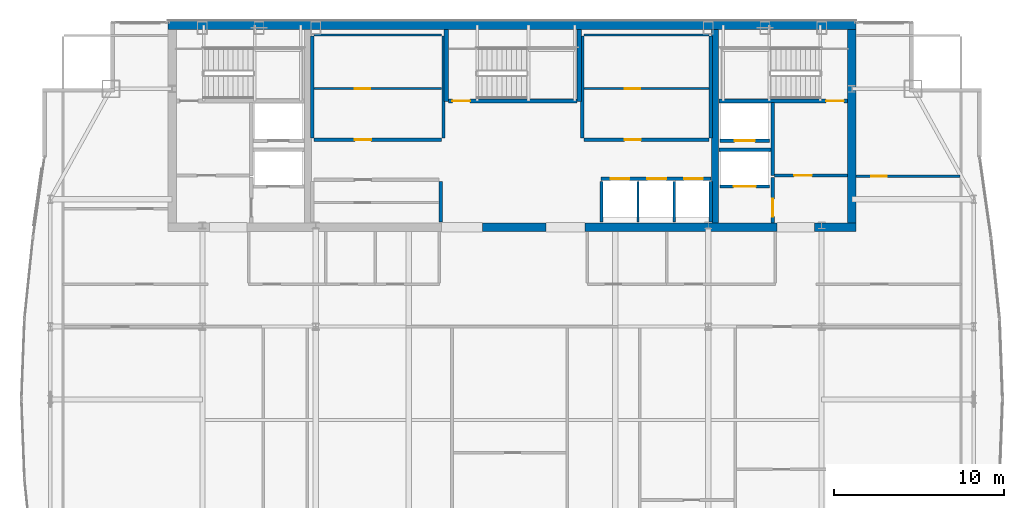
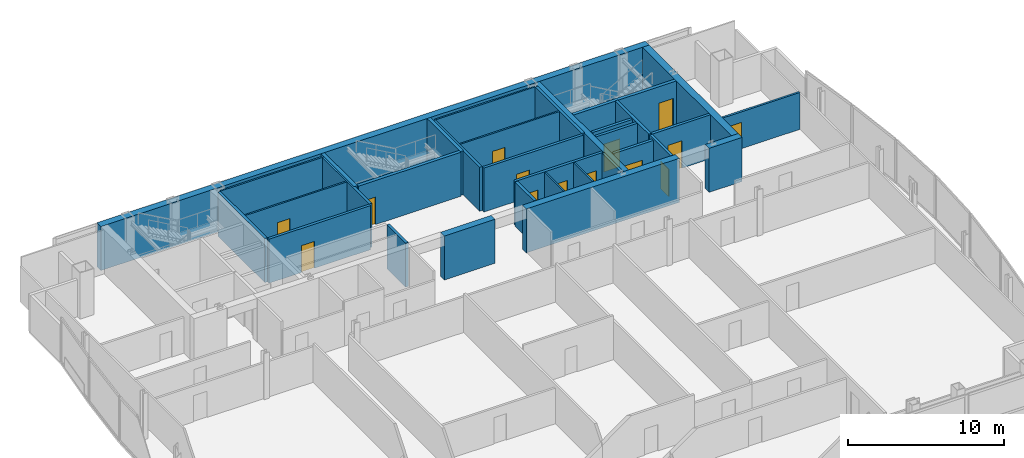
# One storey, part 27 of 30: 33 walls, 14 doors, 14 openings.
"""IFC4 building model written with IfcOpenShell, lengths in metres."""

from ifc_helpers import new_model, si_unit, direction, frame, frame_2d, origin, place, context, subcontext, project, spatial, rectangle, extrude, material, layer, layer_set, type_object, element, fill, save


model = new_model("IFC4")

# Units and contexts
model_context = context("Model", 3, precision=1e-05, world=origin(), true_north=direction((0.0, 1.0)))
body_context = subcontext(model_context, "Body", "Model", "MODEL_VIEW")
ifc_project = project(units=[si_unit("LENGTHUNIT", "METRE"), si_unit("AREAUNIT", "SQUARE_METRE"), si_unit("VOLUMEUNIT", "CUBIC_METRE"), si_unit("PLANEANGLEUNIT", "RADIAN"), si_unit("MASSUNIT", "GRAM", prefix="KILO")], contexts=[model_context])

# Site, building, storey
site_placement = place(None, origin())
site = spatial("IfcSite", under=ifc_project, at=site_placement, CompositionType="ELEMENT")
building_placement = place(site_placement, origin())
building = spatial("IfcBuilding", under=site, at=building_placement, Name="Khoronbel Lancet Exchange", CompositionType="ELEMENT")
storey_placement = place(building_placement, frame((0.0, 0.0, 280.60009765625)))
storey = spatial("IfcBuildingStorey", under=building, at=storey_placement, Name="L72", CompositionType="ELEMENT", Elevation=280.60009765625)

# Walls
ifc_material_1 = material(Name="Concrete C60/75", Category="concrete")
ifc_layer_1 = layer(ifc_material_1, 0.5, Name="Concrete C60/75")
ifc_layer_set_1 = layer_set([ifc_layer_1], Name="Concrete C60/75")
wall_type_1 = type_object("IfcWallType", Name="WL-CW4", PredefinedType="SHEAR", material=ifc_layer_set_1)
wall_1_placement = place(storey_placement, frame((16.199951171875, 53.449951171875, 0.0), z_axis=(0.0, 0.0, 1.0), x_axis=(1.0, 0.0, 0.0)))
element("IfcWall", 1, at=wall_1_placement, inside=storey, type_object=wall_type_1, Name="Level L72 rear core north shear wall", PredefinedType="SHEAR", context=body_context, shape_type="SweptSolid", body=[
    extrude(rectangle(XDim=40.5, YDim=0.5, at=frame_2d((20.25, 0.0))), origin(), (0.0, 0.0, 1.0), 3.43994140625),
])
wall_2_placement = place(storey_placement, frame((56.449951171875, 53.199951171875, 0.0), z_axis=(0.0, 0.0, 1.0), x_axis=(0.0, -1.0, 0.0)))
element("IfcWall", 2, at=wall_2_placement, inside=storey, type_object=wall_type_1, Name="Level L72 rear core east shear wall", PredefinedType="SHEAR", context=body_context, shape_type="SweptSolid", body=[
    extrude(rectangle(XDim=11.39990234375, YDim=0.5, at=frame_2d((5.699951171875, 0.0))), origin(), (0.0, 0.0, 1.0), 3.43994140625),
])
wall_3_placement = place(storey_placement, frame((38.449951171875, 41.550048828125, 0.0), z_axis=(0.0, 0.0, 1.0), x_axis=(-1.0, 0.0, 0.0)))
element("IfcWall", 3, at=wall_3_placement, inside=storey, type_object=wall_type_1, Name="Level L72 rear core south shear wall pier P3", PredefinedType="SHEAR", context=body_context, shape_type="SweptSolid", body=[
    extrude(rectangle(XDim=3.75, YDim=0.5, at=frame_2d((1.875, 0.0))), origin(), (0.0, 0.0, 1.0), 3.43994140625),
])
wall_4_placement = place(storey_placement, frame((52.050048828125, 41.550048828125, 0.0), z_axis=(0.0, 0.0, 1.0), x_axis=(-1.0, 0.0, 0.0)))
element("IfcWall", 4, at=wall_4_placement, inside=storey, type_object=wall_type_1, Name="Level L72 rear core south shear wall pier P4", PredefinedType="SHEAR", context=body_context, shape_type="SweptSolid", body=[
    extrude(rectangle(XDim=11.300048828125, YDim=0.5, at=frame_2d((5.64990234375, 0.0))), origin(), (0.0, 0.0, 1.0), 3.43994140625),
])
wall_5_placement = place(storey_placement, frame((56.699951171875, 41.550048828125, 0.0), z_axis=(0.0, 0.0, 1.0), x_axis=(-1.0, 0.0, 0.0)))
element("IfcWall", 5, at=wall_5_placement, inside=storey, type_object=wall_type_1, Name="Level L72 rear core south shear wall pier P5", PredefinedType="SHEAR", context=body_context, shape_type="SweptSolid", body=[
    extrude(rectangle(XDim=2.449951171875, YDim=0.5, at=frame_2d((1.22509765625, 0.0))), origin(), (0.0, 0.0, 1.0), 3.43994140625),
])

# Wall, opening, door
ifc_material_2 = material(Name="Acoustic Metal-Stud & Mineral-Wool Gypsum Partition 120 mm", Category="gypsum")
ifc_layer_2 = layer(ifc_material_2, 0.1201171875, Name="Acoustic Metal-Stud & Mineral-Wool Gypsum Partition 120 mm")
ifc_layer_set_2 = layer_set([ifc_layer_2], Name="Acoustic Metal-Stud & Mineral-Wool Gypsum Partition 120 mm")
wall_type_2 = type_object("IfcWallType", Name="WL-PRT120", PredefinedType="PARTITIONING", material=ifc_layer_set_2)
wall_6_placement = place(storey_placement, frame((56.699951171875, 44.56005859375, 0.0), z_axis=(0.0, 0.0, 1.0), x_axis=(1.0, 0.0, 0.0)))
wall_6 = element("IfcWall", 6, at=wall_6_placement, inside=storey, type_object=wall_type_2, Name="Level L72 interior partition PW-NE-H", PredefinedType="PARTITIONING", context=body_context, shape_type="SweptSolid", body=[
    extrude(rectangle(XDim=6.10498046875, YDim=0.14990234375, at=frame_2d((3.052490234375, 0.0))), origin(), (0.0, 0.0, 1.0), 2.8798828125),
])
opening_1_placement = place(wall_6_placement, frame((0.89990234375, 0.0, 0.0)))
opening_1 = element("IfcOpeningElement", 7, at=opening_1_placement, cuts=wall_6, Name="Opening D5", PredefinedType="OPENING", context=body_context, shape_type="SweptSolid", body=[
    extrude(rectangle(XDim=0.89990234375, YDim=2.050048828125, at=frame_2d((0.449951171875, 1.02490234375))), frame((0.0, 0.0849609375, 0.0), z_axis=(0.0, -1.0, 0.0), x_axis=(1.0, 0.0, 0.0)), (0.0, 0.0, 1.0), 0.169921875),
])
ifc_material_3 = material(Name="Acoustic Timber Pantry & Support Door", Category="wood")
door_type_1 = type_object("IfcDoorType", Name="DR-D5", OperationType="NOTDEFINED", PredefinedType="DOOR", material=ifc_material_3)
door_1_placement = place(opening_1_placement, origin())
door_1 = element("IfcDoor", 8, at=door_1_placement, inside=storey, type_object=door_type_1, Name="NE north room door L72-1", OperationType="SINGLE_SWING_LEFT", OverallHeight=2.050048828125, OverallWidth=0.89990234375, PredefinedType="DOOR", context=body_context, shape_type="SweptSolid", body=[
    extrude(rectangle(XDim=0.89990234375, YDim=2.050048828125, at=frame_2d((0.449951171875, 1.02490234375))), frame((0.0, 0.02490234375, 0.0), z_axis=(0.0, -1.0, 0.0), x_axis=(1.0, 0.0, 0.0)), (0.0, 0.0, 1.0), 0.050048828125),
])
fill(opening_1, door_1)

# Wall
ifc_material_4 = material(Name="Fire-Rated Metal-Stud & Mineral-Wool Gypsum Partition 120 mm", Category="gypsum")
ifc_layer_3 = layer(ifc_material_4, 0.1201171875, Name="Fire-Rated Metal-Stud & Mineral-Wool Gypsum Partition 120 mm")
ifc_layer_set_3 = layer_set([ifc_layer_3], Name="Fire-Rated Metal-Stud & Mineral-Wool Gypsum Partition 120 mm")
wall_type_3 = type_object("IfcWallType", Name="WL-PRT120F", PredefinedType="PARTITIONING", material=ifc_layer_set_3)
wall_7_placement = place(storey_placement, frame((24.804931640625, 52.860107421875, 0.0), z_axis=(0.0, 0.0, 1.0), x_axis=(1.0, 0.0, 0.0)))
element("IfcWall", 9, at=wall_7_placement, inside=storey, type_object=wall_type_3, Name="Level L72 interior partition CW-PL-RN", PredefinedType="PARTITIONING", context=body_context, shape_type="SweptSolid", body=[
    extrude(rectangle(XDim=7.510009765625, YDim=0.1201171875, at=frame_2d((3.7548828125, 0.0))), origin(), (0.0, 0.0, 1.0), 3.43994140625),
])

# Wall, opening, door
wall_8_placement = place(storey_placement, frame((24.804931640625, 49.708740234375, 0.0), z_axis=(0.0, 0.0, 1.0), x_axis=(1.0, 0.0, 0.0)))
wall_8 = element("IfcWall", 10, at=wall_8_placement, inside=storey, type_object=wall_type_3, Name="Level L72 interior partition CW-PL-RH", PredefinedType="PARTITIONING", context=body_context, shape_type="SweptSolid", body=[
    extrude(rectangle(XDim=7.510009765625, YDim=0.1201171875, at=frame_2d((3.7548828125, 0.0))), origin(), (0.0, 0.0, 1.0), 3.43994140625),
])
opening_2_placement = place(wall_8_placement, frame((2.39990234375, 0.0, 0.0)))
opening_2 = element("IfcOpeningElement", 11, at=opening_2_placement, cuts=wall_8, Name="Opening FD4", PredefinedType="OPENING", context=body_context, shape_type="SweptSolid", body=[
    extrude(rectangle(XDim=0.89990234375, YDim=2.050048828125, at=frame_2d((0.449951171875, 1.02490234375))), frame((0.0, 0.070068359375, 0.0), z_axis=(0.0, -1.0, 0.0), x_axis=(1.0, 0.0, 0.0)), (0.0, 0.0, 1.0), 0.14013671875),
])
ifc_material_5 = material(Name="Fire-Rated Steel Core Support Door Assembly", Category="steel")
door_type_2 = type_object("IfcDoorType", Name="DR-FD4", OperationType="NOTDEFINED", PredefinedType="DOOR", material=ifc_material_5)
door_2_placement = place(opening_2_placement, origin())
door_2 = element("IfcDoor", 12, at=door_2_placement, inside=storey, type_object=door_type_2, Name="Core PL inner store door L72-1", OperationType="SINGLE_SWING_LEFT", OverallHeight=2.050048828125, OverallWidth=0.89990234375, PredefinedType="DOOR", context=body_context, shape_type="SweptSolid", body=[
    extrude(rectangle(XDim=0.89990234375, YDim=2.050048828125, at=frame_2d((0.449951171875, 1.02490234375))), frame((0.0, 0.02490234375, 0.0), z_axis=(0.0, -1.0, 0.0), x_axis=(1.0, 0.0, 0.0)), (0.0, 0.0, 1.0), 0.050048828125),
])
fill(opening_2, door_2)

# Wall
wall_9_placement = place(storey_placement, frame((40.68505859375, 52.860107421875, 0.0), z_axis=(0.0, 0.0, 1.0), x_axis=(1.0, 0.0, 0.0)))
element("IfcWall", 13, at=wall_9_placement, inside=storey, type_object=wall_type_3, Name="Level L72 interior partition CW-PH-RN", PredefinedType="PARTITIONING", context=body_context, shape_type="SweptSolid", body=[
    extrude(rectangle(XDim=7.349853515625, YDim=0.1201171875, at=frame_2d((3.6748046875, 0.0))), origin(), (0.0, 0.0, 1.0), 3.43994140625),
])

# Wall, opening, door
wall_10_placement = place(storey_placement, frame((40.68505859375, 49.708740234375, 0.0), z_axis=(0.0, 0.0, 1.0), x_axis=(1.0, 0.0, 0.0)))
wall_10 = element("IfcWall", 14, at=wall_10_placement, inside=storey, type_object=wall_type_3, Name="Level L72 interior partition CW-PH-RH", PredefinedType="PARTITIONING", context=body_context, shape_type="SweptSolid", body=[
    extrude(rectangle(XDim=7.349853515625, YDim=0.1201171875, at=frame_2d((3.6748046875, 0.0))), origin(), (0.0, 0.0, 1.0), 3.43994140625),
])
opening_3_placement = place(wall_10_placement, frame((2.39990234375, 0.0, 0.0)))
opening_3 = element("IfcOpeningElement", 15, at=opening_3_placement, cuts=wall_10, Name="Opening FD4", PredefinedType="OPENING", context=body_context, shape_type="SweptSolid", body=[
    extrude(rectangle(XDim=0.89990234375, YDim=2.050048828125, at=frame_2d((0.449951171875, 1.02490234375))), frame((0.0, 0.070068359375, 0.0), z_axis=(0.0, -1.0, 0.0), x_axis=(1.0, 0.0, 0.0)), (0.0, 0.0, 1.0), 0.14013671875),
])
door_3_placement = place(opening_3_placement, origin())
door_3 = element("IfcDoor", 16, at=door_3_placement, inside=storey, type_object=door_type_2, Name="Core PH inner store door L72-1", OperationType="SINGLE_SWING_LEFT", OverallHeight=2.050048828125, OverallWidth=0.89990234375, PredefinedType="DOOR", context=body_context, shape_type="SweptSolid", body=[
    extrude(rectangle(XDim=0.89990234375, YDim=2.050048828125, at=frame_2d((0.449951171875, 1.02490234375))), frame((0.0, 0.02490234375, 0.0), z_axis=(0.0, -1.0, 0.0), x_axis=(1.0, 0.0, 0.0)), (0.0, 0.0, 1.0), 0.050048828125),
])
fill(opening_3, door_3)

# Walls
for number, where, z_axis, x_axis, name in (
    (17, (43.860107421875, 41.85009765625, 0.0), (0.0, 0.0, 1.0), (0.0, 1.0, 0.0), "Level L72 interior partition CW-PX-D1"),
    (18, (46.0, 41.85009765625, 0.0), (0.0, 0.0, 1.0), (0.0, 1.0, 0.0), "Level L72 interior partition CW-PX-D2"),
):
    element("IfcWall", number, at=place(storey_placement, frame(where, z_axis=z_axis, x_axis=x_axis)), inside=storey, type_object=wall_type_3, Name=name, PredefinedType="PARTITIONING", context=body_context, shape_type="SweptSolid", body=[
        extrude(rectangle(XDim=2.39990234375, YDim=0.1201171875, at=frame_2d((1.199951171875, 0.0))), origin(), (0.0, 0.0, 1.0), 3.43994140625),
    ])

# Wall, openings, doors
ifc_material_6 = material(Name="Autoclaved Aerated Concrete Blockwork 200 mm", Category="masonry")
ifc_layer_4 = layer(ifc_material_6, 0.199951171875, Name="Autoclaved Aerated Concrete Blockwork 200 mm")
ifc_layer_set_4 = layer_set([ifc_layer_4], Name="Autoclaved Aerated Concrete Blockwork 200 mm")
wall_type_4 = type_object("IfcWallType", Name="WL-PRT200", PredefinedType="PARTITIONING", material=ifc_layer_set_4)
wall_11_placement = place(storey_placement, frame((41.679931640625, 44.39990234375, 0.0), z_axis=(0.0, 0.0, 1.0), x_axis=(1.0, 0.0, 0.0)))
wall_11 = element("IfcWall", 19, at=wall_11_placement, inside=storey, type_object=wall_type_4, Name="Level L72 elevator hoistway landing front wall PXE", PredefinedType="PARTITIONING", context=body_context, shape_type="SweptSolid", body=[
    extrude(rectangle(XDim=6.47998046875, YDim=0.199951171875, at=frame_2d((3.239990234375, 0.0))), origin(), (0.0, 0.0, 1.0), 3.43994140625),
])
opening_4_placement = place(wall_11_placement, frame((0.580078125, 0.0, 0.0)))
opening_4 = element("IfcOpeningElement", 20, at=opening_4_placement, cuts=wall_11, Name="Opening LD-PX1", PredefinedType="OPENING", context=body_context, shape_type="SweptSolid", body=[
    extrude(rectangle(XDim=1.10009765625, YDim=2.179931640625, at=frame_2d((0.550048828125, 1.08984375))), frame((0.0, 0.10986328125, 0.0), z_axis=(0.0, -1.0, 0.0), x_axis=(1.0, 0.0, 0.0)), (0.0, 0.0, 1.0), 0.219970703125),
])
opening_5_placement = place(wall_11_placement, frame((2.739990234375, 0.0, 0.0)))
opening_5 = element("IfcOpeningElement", 21, at=opening_5_placement, cuts=wall_11, Name="Opening LD-PX2", PredefinedType="OPENING", context=body_context, shape_type="SweptSolid", body=[
    extrude(rectangle(XDim=1.10009765625, YDim=2.179931640625, at=frame_2d((0.550048828125, 1.08984375))), frame((0.0, 0.10986328125, 0.0), z_axis=(0.0, -1.0, 0.0), x_axis=(1.0, 0.0, 0.0)), (0.0, 0.0, 1.0), 0.219970703125),
])
opening_6_placement = place(wall_11_placement, frame((4.89990234375, 0.0, 0.0)))
opening_6 = element("IfcOpeningElement", 22, at=opening_6_placement, cuts=wall_11, Name="Opening LD-PX3", PredefinedType="OPENING", context=body_context, shape_type="SweptSolid", body=[
    extrude(rectangle(XDim=1.10009765625, YDim=2.179931640625, at=frame_2d((0.550048828125, 1.08984375))), frame((0.0, 0.10986328125, 0.0), z_axis=(0.0, -1.0, 0.0), x_axis=(1.0, 0.0, 0.0)), (0.0, 0.0, 1.0), 0.219970703125),
])
ifc_material_7 = material(Name="Brushed Bronze Bi-Parting Elevator Landing Door", Category="steel")
door_type_3 = type_object("IfcDoorType", Name="DR-LD-PAX", OperationType="NOTDEFINED", PredefinedType="DOOR", material=ifc_material_7)
door_4_placement = place(opening_4_placement, origin())
door_4 = element("IfcDoor", 23, at=door_4_placement, inside=storey, type_object=door_type_3, Name="Elevator landing sliding door LD-PX1 L72", OperationType="SLIDING_TO_LEFT", OverallHeight=2.179931640625, OverallWidth=1.10009765625, PredefinedType="DOOR", context=body_context, shape_type="SweptSolid", body=[
    extrude(rectangle(XDim=1.10009765625, YDim=2.179931640625, at=frame_2d((0.550048828125, 1.08984375))), frame((0.0, 0.02490234375, 0.0), z_axis=(0.0, -1.0, 0.0), x_axis=(1.0, 0.0, 0.0)), (0.0, 0.0, 1.0), 0.050048828125),
])
fill(opening_4, door_4)
door_5_placement = place(opening_5_placement, origin())
door_5 = element("IfcDoor", 24, at=door_5_placement, inside=storey, type_object=door_type_3, Name="Elevator landing sliding door LD-PX2 L72", OperationType="SLIDING_TO_LEFT", OverallHeight=2.179931640625, OverallWidth=1.10009765625, PredefinedType="DOOR", context=body_context, shape_type="SweptSolid", body=[
    extrude(rectangle(XDim=1.10009765625, YDim=2.179931640625, at=frame_2d((0.550048828125, 1.08984375))), frame((0.0, 0.02490234375, 0.0), z_axis=(0.0, -1.0, 0.0), x_axis=(1.0, 0.0, 0.0)), (0.0, 0.0, 1.0), 0.050048828125),
])
fill(opening_5, door_5)
door_6_placement = place(opening_6_placement, origin())
door_6 = element("IfcDoor", 25, at=door_6_placement, inside=storey, type_object=door_type_3, Name="Elevator landing sliding door LD-PX3 L72", OperationType="SLIDING_TO_LEFT", OverallHeight=2.179931640625, OverallWidth=1.10009765625, PredefinedType="DOOR", context=body_context, shape_type="SweptSolid", body=[
    extrude(rectangle(XDim=1.10009765625, YDim=2.179931640625, at=frame_2d((0.550048828125, 1.08984375))), frame((0.0, 0.02490234375, 0.0), z_axis=(0.0, -1.0, 0.0), x_axis=(1.0, 0.0, 0.0)), (0.0, 0.0, 1.0), 0.050048828125),
])
fill(opening_6, door_6)

# Wall, opening, door
wall_12_placement = place(storey_placement, frame((51.610107421875, 43.949951171875, 0.0), z_axis=(0.0, 0.0, 1.0), x_axis=(-1.0, 0.0, 0.0)))
wall_12 = element("IfcWall", 26, at=wall_12_placement, inside=storey, type_object=wall_type_4, Name="Level L72 elevator hoistway landing front wall SVLE", PredefinedType="PARTITIONING", context=body_context, shape_type="SweptSolid", body=[
    extrude(rectangle(XDim=2.920166015625, YDim=0.199951171875, at=frame_2d((1.4599609375, 0.0))), origin(), (0.0, 0.0, 1.0), 3.43994140625),
])
opening_7_placement = place(wall_12_placement, frame((0.81005859375, 0.0, 0.0)))
opening_7 = element("IfcOpeningElement", 27, at=opening_7_placement, cuts=wall_12, Name="Opening LD-SVL2", PredefinedType="OPENING", context=body_context, shape_type="SweptSolid", body=[
    extrude(rectangle(XDim=1.300048828125, YDim=2.179931640625, at=frame_2d((0.64990234375, 1.08984375))), frame((0.0, 0.10986328125, 0.0), z_axis=(0.0, -1.0, 0.0), x_axis=(1.0, 0.0, 0.0)), (0.0, 0.0, 1.0), 0.219970703125),
])
ifc_material_8 = material(Name="Heavy-Duty Bi-Parting Goods Lift Landing Door", Category="steel")
door_type_4 = type_object("IfcDoorType", Name="DR-LD-SVL", OperationType="NOTDEFINED", PredefinedType="DOOR", material=ifc_material_8)
door_7_placement = place(opening_7_placement, origin())
door_7 = element("IfcDoor", 28, at=door_7_placement, inside=storey, type_object=door_type_4, Name="Elevator landing sliding door LD-SVL2 L72", OperationType="SLIDING_TO_LEFT", OverallHeight=2.179931640625, OverallWidth=1.300048828125, PredefinedType="DOOR", context=body_context, shape_type="SweptSolid", body=[
    extrude(rectangle(XDim=1.300048828125, YDim=2.179931640625, at=frame_2d((0.64990234375, 1.08984375))), frame((0.0, 0.02490234375, 0.0), z_axis=(0.0, -1.0, 0.0), x_axis=(1.0, 0.0, 0.0)), (0.0, 0.0, 1.0), 0.050048828125),
])
fill(opening_7, door_7)

wall_13_placement = place(storey_placement, frame((51.610107421875, 46.64990234375, 0.0), z_axis=(0.0, 0.0, 1.0), x_axis=(-1.0, 0.0, 0.0)))
wall_13 = element("IfcWall", 29, at=wall_13_placement, inside=storey, type_object=wall_type_4, Name="Level L72 elevator hoistway landing front wall FFLE", PredefinedType="PARTITIONING", context=body_context, shape_type="SweptSolid", body=[
    extrude(rectangle(XDim=2.920166015625, YDim=0.199951171875, at=frame_2d((1.4599609375, 0.0))), origin(), (0.0, 0.0, 1.0), 3.43994140625),
])
opening_8_placement = place(wall_13_placement, frame((0.860107421875, 0.0, 0.0)))
opening_8 = element("IfcOpeningElement", 30, at=opening_8_placement, cuts=wall_13, Name="Opening LD-FFL2", PredefinedType="OPENING", context=body_context, shape_type="SweptSolid", body=[
    extrude(rectangle(XDim=1.199951171875, YDim=2.179931640625, at=frame_2d((0.60009765625, 1.08984375))), frame((0.0, 0.10986328125, 0.0), z_axis=(0.0, -1.0, 0.0), x_axis=(1.0, 0.0, 0.0)), (0.0, 0.0, 1.0), 0.219970703125),
])
ifc_material_9 = material(Name="Fire-Rated Stainless Bi-Parting Firefighting Lift Door", Category="steel")
door_type_5 = type_object("IfcDoorType", Name="DR-LD-FFL", OperationType="NOTDEFINED", PredefinedType="DOOR", material=ifc_material_9)
door_8_placement = place(opening_8_placement, origin())
door_8 = element("IfcDoor", 31, at=door_8_placement, inside=storey, type_object=door_type_5, Name="Elevator landing sliding door LD-FFL2 L72", OperationType="SLIDING_TO_LEFT", OverallHeight=2.179931640625, OverallWidth=1.199951171875, PredefinedType="DOOR", context=body_context, shape_type="SweptSolid", body=[
    extrude(rectangle(XDim=1.199951171875, YDim=2.179931640625, at=frame_2d((0.60009765625, 1.08984375))), frame((0.0, 0.02490234375, 0.0), z_axis=(0.0, -1.0, 0.0), x_axis=(1.0, 0.0, 0.0)), (0.0, 0.0, 1.0), 0.050048828125),
])
fill(opening_8, door_8)

# Wall
wall_14_placement = place(storey_placement, frame((51.800048828125, 44.60009765625, 0.0), z_axis=(0.0, 0.0, 1.0), x_axis=(0.0, 1.0, 0.0)))
element("IfcWall", 32, at=wall_14_placement, inside=storey, type_object=wall_type_4, Name="Level L72 interior partition CW-FFLE-W", PredefinedType="PARTITIONING", context=body_context, shape_type="SweptSolid", body=[
    extrude(rectangle(XDim=4.2998046875, YDim=0.199951171875, at=frame_2d((2.14990234375, 0.0))), origin(), (0.0, 0.0, 1.0), 3.43994140625),
])

# Wall, opening, door
wall_15_placement = place(storey_placement, frame((51.89990234375, 44.60009765625, 0.0), z_axis=(0.0, 0.0, 1.0), x_axis=(1.0, 0.0, 0.0)))
wall_15 = element("IfcWall", 33, at=wall_15_placement, inside=storey, type_object=wall_type_4, Name="Level L72 interior partition CW-FFLE-S", PredefinedType="PARTITIONING", context=body_context, shape_type="SweptSolid", body=[
    extrude(rectangle(XDim=4.300048828125, YDim=0.199951171875, at=frame_2d((2.14990234375, 0.0))), origin(), (0.0, 0.0, 1.0), 3.43994140625),
])
opening_9_placement = place(wall_15_placement, frame((1.14990234375, 0.0, 0.0)))
opening_9 = element("IfcOpeningElement", 34, at=opening_9_placement, cuts=wall_15, Name="Opening FD1", PredefinedType="OPENING", context=body_context, shape_type="SweptSolid", body=[
    extrude(rectangle(XDim=1.050048828125, YDim=2.14990234375, at=frame_2d((0.52490234375, 1.074951171875))), frame((0.0, 0.10986328125, 0.0), z_axis=(0.0, -1.0, 0.0), x_axis=(1.0, 0.0, 0.0)), (0.0, 0.0, 1.0), 0.219970703125),
])
ifc_material_10 = material(Name="Fire-Rated Painted Steel Door Assembly", Category="steel")
door_type_6 = type_object("IfcDoorType", Name="DR-FD1", OperationType="NOTDEFINED", PredefinedType="DOOR", material=ifc_material_10)
door_9_placement = place(opening_9_placement, origin())
door_9 = element("IfcDoor", 35, at=door_9_placement, inside=storey, type_object=door_type_6, Name="East firefighting lobby FD90S door L72-1", OperationType="SINGLE_SWING_LEFT", OverallHeight=2.14990234375, OverallWidth=1.050048828125, PredefinedType="DOOR", context=body_context, shape_type="SweptSolid", body=[
    extrude(rectangle(XDim=1.050048828125, YDim=2.14990234375, at=frame_2d((0.52490234375, 1.074951171875))), frame((0.0, 0.02490234375, 0.0), z_axis=(0.0, -1.0, 0.0), x_axis=(1.0, 0.0, 0.0)), (0.0, 0.0, 1.0), 0.050048828125),
])
fill(opening_9, door_9)

# Wall
wall_16_placement = place(storey_placement, frame((48.6298828125, 46.1201171875, 0.0), z_axis=(0.0, 0.0, 1.0), x_axis=(1.0, 0.0, 0.0)))
element("IfcWall", 36, at=wall_16_placement, inside=storey, type_object=wall_type_4, Name="Level L72 interior partition CW-FFL2-S", PredefinedType="PARTITIONING", context=body_context, shape_type="SweptSolid", body=[
    extrude(rectangle(XDim=3.070068359375, YDim=0.199951171875, at=frame_2d((1.53515625, 0.0))), origin(), (0.0, 0.0, 1.0), 3.43994140625),
])

# Wall, opening, door
wall_17_placement = place(storey_placement, frame((51.800048828125, 41.800048828125, 0.0), z_axis=(0.0, 0.0, 1.0), x_axis=(0.0, 1.0, 0.0)))
wall_17 = element("IfcWall", 37, at=wall_17_placement, inside=storey, type_object=wall_type_4, Name="Level L72 interior partition CW-SVLE-E", PredefinedType="PARTITIONING", context=body_context, shape_type="SweptSolid", body=[
    extrude(rectangle(XDim=2.695068359375, YDim=0.199951171875, at=frame_2d((1.34765625, 0.0))), origin(), (0.0, 0.0, 1.0), 3.43994140625),
])
opening_10_placement = place(wall_17_placement, frame((0.3798828125, 0.0, 0.0)))
opening_10 = element("IfcOpeningElement", 38, at=opening_10_placement, cuts=wall_17, Name="Opening FD1", PredefinedType="OPENING", context=body_context, shape_type="SweptSolid", body=[
    extrude(rectangle(XDim=1.050048828125, YDim=2.14990234375, at=frame_2d((0.52490234375, 1.074951171875))), frame((0.0, 0.10986328125, 0.0), z_axis=(0.0, -1.0, 0.0), x_axis=(1.0, 0.0, 0.0)), (0.0, 0.0, 1.0), 0.219970703125),
])
door_10_placement = place(opening_10_placement, origin())
door_10 = element("IfcDoor", 39, at=door_10_placement, inside=storey, type_object=door_type_6, Name="East service lift lobby door L72-1", OperationType="SINGLE_SWING_RIGHT", OverallHeight=2.14990234375, OverallWidth=1.050048828125, PredefinedType="DOOR", context=body_context, shape_type="SweptSolid", body=[
    extrude(rectangle(XDim=1.050048828125, YDim=2.14990234375, at=frame_2d((0.52490234375, 1.074951171875))), frame((0.0, 0.02490234375, 0.0), z_axis=(0.0, -1.0, 0.0), x_axis=(1.0, 0.0, 0.0)), (0.0, 0.0, 1.0), 0.050048828125),
])
fill(opening_10, door_10)

# Walls
for number, where, z_axis, x_axis, name in (
    (40, (24.699951171875, 46.804931640625, 0.0), (0.0, 0.0, 1.0), (0.0, 1.0, 0.0), "Level L72 interior partition CW-PL-RW"),
    (41, (32.419921875, 46.804931640625, 0.0), (0.0, 0.0, 1.0), (0.0, 1.0, 0.0), "Level L72 interior partition CW-PL-RE"),
):
    element("IfcWall", number, at=place(storey_placement, frame(where, z_axis=z_axis, x_axis=x_axis)), inside=storey, type_object=wall_type_4, Name=name, PredefinedType="PARTITIONING", context=body_context, shape_type="SweptSolid", body=[
        extrude(rectangle(XDim=5.989990234375, YDim=0.199951171875, at=frame_2d((2.9951171875, 0.0))), origin(), (0.0, 0.0, 1.0), 3.43994140625),
    ])

# Wall, opening, door
wall_18_placement = place(storey_placement, frame((24.804931640625, 46.699951171875, 0.0), z_axis=(0.0, 0.0, 1.0), x_axis=(1.0, 0.0, 0.0)))
wall_18 = element("IfcWall", 42, at=wall_18_placement, inside=storey, type_object=wall_type_4, Name="Level L72 interior partition CW-PL-RF", PredefinedType="PARTITIONING", context=body_context, shape_type="SweptSolid", body=[
    extrude(rectangle(XDim=7.510009765625, YDim=0.199951171875, at=frame_2d((3.7548828125, 0.0))), origin(), (0.0, 0.0, 1.0), 3.43994140625),
])
opening_11_placement = place(wall_18_placement, frame((2.39990234375, 0.0, 0.0)))
opening_11 = element("IfcOpeningElement", 43, at=opening_11_placement, cuts=wall_18, Name="Opening FD3", PredefinedType="OPENING", context=body_context, shape_type="SweptSolid", body=[
    extrude(rectangle(XDim=0.949951171875, YDim=2.10009765625, at=frame_2d((0.47509765625, 1.050048828125))), frame((0.0, 0.10986328125, 0.0), z_axis=(0.0, -1.0, 0.0), x_axis=(1.0, 0.0, 0.0)), (0.0, 0.0, 1.0), 0.219970703125),
])
ifc_material_11 = material(Name="Fire-Rated Steel Plant & Riser Door Assembly", Category="steel")
door_type_7 = type_object("IfcDoorType", Name="DR-FD3", OperationType="NOTDEFINED", PredefinedType="DOOR", material=ifc_material_11)
door_11_placement = place(opening_11_placement, origin())
door_11 = element("IfcDoor", 44, at=door_11_placement, inside=storey, type_object=door_type_7, Name="Core PL merged gallery room door L72-1", OperationType="SINGLE_SWING_RIGHT", OverallHeight=2.10009765625, OverallWidth=0.949951171875, PredefinedType="DOOR", context=body_context, shape_type="SweptSolid", body=[
    extrude(rectangle(XDim=0.949951171875, YDim=2.10009765625, at=frame_2d((0.47509765625, 1.050048828125))), frame((0.0, 0.02490234375, 0.0), z_axis=(0.0, -1.0, 0.0), x_axis=(1.0, 0.0, 0.0)), (0.0, 0.0, 1.0), 0.050048828125),
])
fill(opening_11, door_11)

# Walls
wall_19_placement = place(storey_placement, frame((32.25, 41.85009765625, 0.0), z_axis=(0.0, 0.0, 1.0), x_axis=(0.0, 1.0, 0.0)))
element("IfcWall", 45, at=wall_19_placement, inside=storey, type_object=wall_type_4, Name="Level L72 interior partition CW-PM-RE", PredefinedType="PARTITIONING", context=body_context, shape_type="SweptSolid", body=[
    extrude(rectangle(XDim=2.39501953125, YDim=0.199951171875, at=frame_2d((1.197509765625, 0.0))), origin(), (0.0, 0.0, 1.0), 3.43994140625),
])
for number, where, z_axis, x_axis, name in (
    (46, (40.580078125, 46.804931640625, 0.0), (0.0, 0.0, 1.0), (0.0, 1.0, 0.0), "Level L72 interior partition CW-PH-RW"),
    (47, (48.139892578125, 46.804931640625, 0.0), (0.0, 0.0, 1.0), (0.0, 1.0, 0.0), "Level L72 interior partition CW-PH-RE"),
):
    element("IfcWall", number, at=place(storey_placement, frame(where, z_axis=z_axis, x_axis=x_axis)), inside=storey, type_object=wall_type_4, Name=name, PredefinedType="PARTITIONING", context=body_context, shape_type="SweptSolid", body=[
        extrude(rectangle(XDim=5.989990234375, YDim=0.199951171875, at=frame_2d((2.9951171875, 0.0))), origin(), (0.0, 0.0, 1.0), 3.43994140625),
    ])

# Wall, opening, door
wall_20_placement = place(storey_placement, frame((40.68505859375, 46.699951171875, 0.0), z_axis=(0.0, 0.0, 1.0), x_axis=(1.0, 0.0, 0.0)))
wall_20 = element("IfcWall", 48, at=wall_20_placement, inside=storey, type_object=wall_type_4, Name="Level L72 interior partition CW-PH-RF", PredefinedType="PARTITIONING", context=body_context, shape_type="SweptSolid", body=[
    extrude(rectangle(XDim=7.349853515625, YDim=0.199951171875, at=frame_2d((3.6748046875, 0.0))), origin(), (0.0, 0.0, 1.0), 3.43994140625),
])
opening_12_placement = place(wall_20_placement, frame((2.39990234375, 0.0, 0.0)))
opening_12 = element("IfcOpeningElement", 49, at=opening_12_placement, cuts=wall_20, Name="Opening FD3", PredefinedType="OPENING", context=body_context, shape_type="SweptSolid", body=[
    extrude(rectangle(XDim=0.949951171875, YDim=2.10009765625, at=frame_2d((0.47509765625, 1.050048828125))), frame((0.0, 0.10986328125, 0.0), z_axis=(0.0, -1.0, 0.0), x_axis=(1.0, 0.0, 0.0)), (0.0, 0.0, 1.0), 0.219970703125),
])
door_12_placement = place(opening_12_placement, origin())
door_12 = element("IfcDoor", 50, at=door_12_placement, inside=storey, type_object=door_type_7, Name="Core PH merged gallery room door L72-1", OperationType="SINGLE_SWING_RIGHT", OverallHeight=2.10009765625, OverallWidth=0.949951171875, PredefinedType="DOOR", context=body_context, shape_type="SweptSolid", body=[
    extrude(rectangle(XDim=0.949951171875, YDim=2.10009765625, at=frame_2d((0.47509765625, 1.050048828125))), frame((0.0, 0.02490234375, 0.0), z_axis=(0.0, -1.0, 0.0), x_axis=(1.0, 0.0, 0.0)), (0.0, 0.0, 1.0), 0.050048828125),
])
fill(opening_12, door_12)

# Walls
for number, where, z_axis, x_axis, name in (
    (51, (41.719970703125, 41.85009765625, 0.0), (0.0, 0.0, 1.0), (0.0, 1.0, 0.0), "Level L72 interior partition CW-PX-W"),
    (52, (48.139892578125, 41.85009765625, 0.0), (0.0, 0.0, 1.0), (0.0, 1.0, 0.0), "Level L72 interior partition CW-PX-E"),
):
    element("IfcWall", number, at=place(storey_placement, frame(where, z_axis=z_axis, x_axis=x_axis)), inside=storey, type_object=wall_type_4, Name=name, PredefinedType="PARTITIONING", context=body_context, shape_type="SweptSolid", body=[
        extrude(rectangle(XDim=2.39990234375, YDim=0.199951171875, at=frame_2d((1.199951171875, 0.0))), origin(), (0.0, 0.0, 1.0), 3.43994140625),
    ])
ifc_layer_5 = layer(ifc_material_1, 0.39990234375, Name="Concrete C60/75")
ifc_layer_set_5 = layer_set([ifc_layer_5], Name="Concrete C60/75")
wall_type_5 = type_object("IfcWallType", Name="WL-SW2", PredefinedType="SHEAR", material=ifc_layer_set_5)
wall_21_placement = place(storey_placement, frame((48.39990234375, 41.800048828125, 0.0), z_axis=(0.0, 0.0, 1.0), x_axis=(0.0, 1.0, 0.0)))
element("IfcWall", 53, at=wall_21_placement, inside=storey, type_object=wall_type_5, Name="Level L72 rear core internal spine shear wall IE", PredefinedType="SHEAR", context=body_context, shape_type="SweptSolid", body=[
    extrude(rectangle(XDim=11.39990234375, YDim=0.39990234375, at=frame_2d((5.699951171875, 0.0))), origin(), (0.0, 0.0, 1.0), 3.43994140625),
])
ifc_layer_6 = layer(ifc_material_1, 0.260009765625, Name="Concrete C60/75")
ifc_layer_set_6 = layer_set([ifc_layer_6], Name="Concrete C60/75")
wall_type_6 = type_object("IfcWallType", Name="WL-SW3", PredefinedType="SHEAR", material=ifc_layer_set_6)
for number, where, z_axis, x_axis, name in (
    (54, (32.580078125, 48.949951171875, 0.0), (0.0, 0.0, 1.0), (0.0, 1.0, 0.0), "Level L72 central stairwell structural shear wall ST3W"),
    (55, (40.419921875, 48.949951171875, 0.0), (0.0, 0.0, 1.0), (0.0, 1.0, 0.0), "Level L72 central stairwell structural shear wall ST3E"),
):
    element("IfcWall", number, at=place(storey_placement, frame(where, z_axis=z_axis, x_axis=x_axis)), inside=storey, type_object=wall_type_6, Name=name, PredefinedType="SHEAR", context=body_context, shape_type="SweptSolid", body=[
        extrude(rectangle(XDim=4.25, YDim=0.260009765625, at=frame_2d((2.125, 0.0))), origin(), (0.0, 0.0, 1.0), 3.43994140625),
    ])

# Wall, opening, door
wall_22_placement = place(storey_placement, frame((48.6298828125, 48.97998046875, 0.0), z_axis=(0.0, 0.0, 1.0), x_axis=(1.0, 0.0, 0.0)))
wall_22 = element("IfcWall", 56, at=wall_22_placement, inside=storey, type_object=wall_type_6, Name="Level L72 east stairwell structural south wall", PredefinedType="SHEAR", context=body_context, shape_type="SweptSolid", body=[
    extrude(rectangle(XDim=7.570068359375, YDim=0.239990234375, at=frame_2d((3.78515625, 0.0))), origin(), (0.0, 0.0, 1.0), 3.43994140625),
])
opening_13_placement = place(wall_22_placement, frame((6.300048828125, 0.0, 0.0)))
opening_13 = element("IfcOpeningElement", 57, at=opening_13_placement, cuts=wall_22, Name="Opening SD1", PredefinedType="OPENING", context=body_context, shape_type="SweptSolid", body=[
    extrude(rectangle(XDim=1.050048828125, YDim=2.14990234375, at=frame_2d((0.52490234375, 1.074951171875))), frame((0.0, 0.1298828125, 0.0), z_axis=(0.0, -1.0, 0.0), x_axis=(1.0, 0.0, 0.0)), (0.0, 0.0, 1.0), 0.260009765625),
])
ifc_material_12 = material(Name="Fire-Rated Steel Stairwell Door Assembly", Category="steel")
door_type_8 = type_object("IfcDoorType", Name="DR-SD1", OperationType="NOTDEFINED", PredefinedType="DOOR", material=ifc_material_12)
door_13_placement = place(opening_13_placement, origin())
door_13 = element("IfcDoor", 58, at=door_13_placement, inside=storey, type_object=door_type_8, Name="Protected exit stair ST2 door L72", OperationType="SINGLE_SWING_RIGHT", OverallHeight=2.14990234375, OverallWidth=1.050048828125, PredefinedType="DOOR", context=body_context, shape_type="SweptSolid", body=[
    extrude(rectangle(XDim=1.050048828125, YDim=2.14990234375, at=frame_2d((0.52490234375, 1.074951171875))), frame((0.0, 0.02490234375, 0.0), z_axis=(0.0, -1.0, 0.0), x_axis=(1.0, 0.0, 0.0)), (0.0, 0.0, 1.0), 0.050048828125),
])
fill(opening_13, door_13)

wall_23_placement = place(storey_placement, frame((32.719970703125, 48.97998046875, 0.0), z_axis=(0.0, 0.0, 1.0), x_axis=(1.0, 0.0, 0.0)))
wall_23 = element("IfcWall", 59, at=wall_23_placement, inside=storey, type_object=wall_type_6, Name="Level L72 central stairwell structural south wall", PredefinedType="SHEAR", context=body_context, shape_type="SweptSolid", body=[
    extrude(rectangle(XDim=7.56005859375, YDim=0.239990234375, at=frame_2d((3.780029296875, 0.0))), origin(), (0.0, 0.0, 1.0), 3.43994140625),
])
opening_14_placement = place(wall_23_placement, frame((0.219970703125, 0.0, 0.0)))
opening_14 = element("IfcOpeningElement", 60, at=opening_14_placement, cuts=wall_23, Name="Opening SD1", PredefinedType="OPENING", context=body_context, shape_type="SweptSolid", body=[
    extrude(rectangle(XDim=1.050048828125, YDim=2.14990234375, at=frame_2d((0.52490234375, 1.074951171875))), frame((0.0, 0.1298828125, 0.0), z_axis=(0.0, -1.0, 0.0), x_axis=(1.0, 0.0, 0.0)), (0.0, 0.0, 1.0), 0.260009765625),
])
door_14_placement = place(opening_14_placement, origin())
door_14 = element("IfcDoor", 61, at=door_14_placement, inside=storey, type_object=door_type_8, Name="Protected exit stair ST3 door L72", OperationType="SINGLE_SWING_LEFT", OverallHeight=2.14990234375, OverallWidth=1.050048828125, PredefinedType="DOOR", context=body_context, shape_type="SweptSolid", body=[
    extrude(rectangle(XDim=1.050048828125, YDim=2.14990234375, at=frame_2d((0.52490234375, 1.074951171875))), frame((0.0, 0.02490234375, 0.0), z_axis=(0.0, -1.0, 0.0), x_axis=(1.0, 0.0, 0.0)), (0.0, 0.0, 1.0), 0.050048828125),
])
fill(opening_14, door_14)

save(model, "model.ifc")
